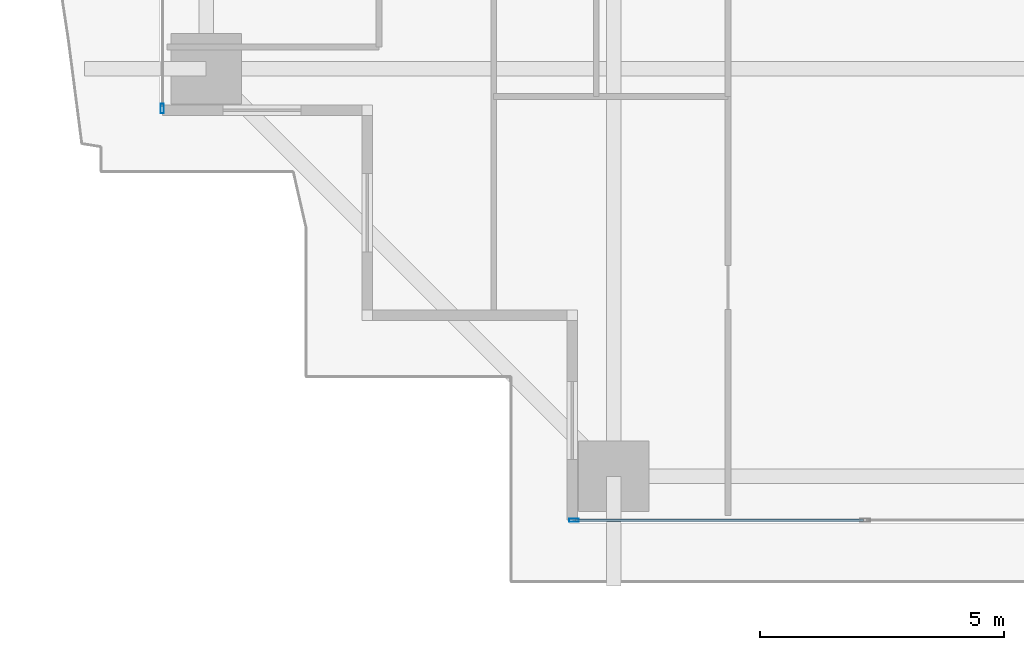
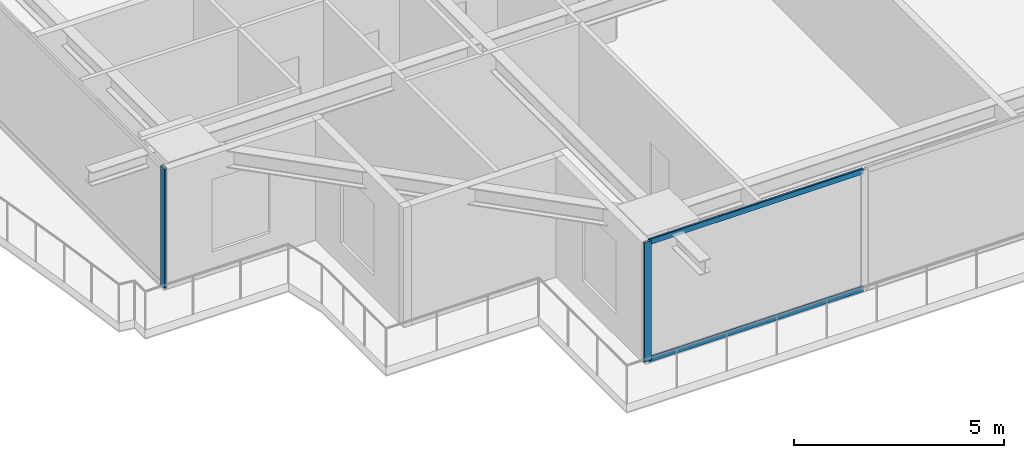
# One storey, part 2 of 36: 4 members, 2 elements without a shape of their own.
"""IFC4 building model written with IfcOpenShell, lengths in metres."""

from ifc_helpers import new_model, si_unit, direction, frame, origin, origin_2d, place, context, subcontext, project, spatial, hollow_rectangle, extrude, source, transform, mapped, material, layer, layer_set, material_profile, profile_set, type_object, element, aggregate, save


model = new_model("IFC4")

# Units and contexts
model_context = context("Model", 3, precision=1e-05, world=origin(), true_north=direction((0.0, 1.0)))
body_context = subcontext(model_context, "Body", "Model", "MODEL_VIEW")
ifc_project = project(units=[si_unit("LENGTHUNIT", "METRE"), si_unit("AREAUNIT", "SQUARE_METRE"), si_unit("VOLUMEUNIT", "CUBIC_METRE"), si_unit("PLANEANGLEUNIT", "RADIAN"), si_unit("MASSUNIT", "GRAM", prefix="KILO")], contexts=[model_context])

# Site, building, storey
site_placement = place(None, origin())
site = spatial("IfcSite", under=ifc_project, at=site_placement, CompositionType="ELEMENT")
building_placement = place(site_placement, origin())
building = spatial("IfcBuilding", under=site, at=building_placement, Name="Serunith Strait Residences", CompositionType="ELEMENT")
storey_placement = place(building_placement, frame((0.0, 0.0, 86.699951171875)))
storey = spatial("IfcBuildingStorey", under=building, at=storey_placement, Name="L21", CompositionType="ELEMENT", Elevation=86.699951171875)

# Curtain wall, member
ifc_material = material(Name="Pale-Champagne Anodised Aluminium", Category="aluminium")
ifc_layer = layer(ifc_material, 0.199951171875, Name="Pale-Champagne Anodised Aluminium")
ifc_layer_set = layer_set([ifc_layer], Name="Pale-Champagne Anodised Aluminium")
curtain_wall_type = type_object("IfcCurtainWallType", Name="CW-SYS1", PredefinedType="NOTDEFINED", material=ifc_layer_set)
curtain_wall_1_placement = place(storey_placement, origin())
curtain_wall_1 = element("IfcCurtainWall", 1, at=curtain_wall_1_placement, inside=storey, type_object=curtain_wall_type, Name="L21 S Unitised Fritted Curtain Wall", PredefinedType="NOTDEFINED")
ifc_material_profile_1 = material_profile(ifc_material, hollow_rectangle(XDim=0.070068359375, YDim=0.199951171875, WallThickness=0.00390625, InnerFilletRadius=0.006103515625, OuterFilletRadius=0.010009765625, at=origin_2d()), Name="ALU 200x70x4")
ifc_profile_set_1 = profile_set([ifc_material_profile_1], Name="Pale-Champagne Anodised Aluminium")
member_type_1 = type_object("IfcMemberType", Name="CW-SYS1-MULL", PredefinedType="MULLION", material=ifc_profile_set_1)
shared_shape_1 = source(origin(), body_context, "Body", "SweptSolid", [
    extrude(hollow_rectangle(XDim=0.070068359375, YDim=0.199951171875, WallThickness=0.00390625, InnerFilletRadius=0.006103515625, OuterFilletRadius=0.010009765625, at=origin_2d()), origin(), (0.0, 0.0, 1.0), 3.47509765625),
])
member_1_placement = place(storey_placement, frame((14.43505859375, 0.199951171875, 0.0), z_axis=(0.0, 0.0, 1.0), x_axis=(0.0, 1.0, 0.0)))
member_1 = element("IfcMember", 2, at=member_1_placement, type_object=member_type_1, Name="CW-1 mullion 1", PredefinedType="MULLION", context=body_context, shape_type="MappedRepresentation", body=[
    mapped(shared_shape_1, transform((0.0, 0.0, 0.0), scale=1.0)),
])

curtain_wall_2_placement = place(storey_placement, origin())
curtain_wall_2 = element("IfcCurtainWall", 3, at=curtain_wall_2_placement, inside=storey, type_object=curtain_wall_type, Name="L21 W Unitised Fritted Curtain Wall", PredefinedType="NOTDEFINED")
member_2_placement = place(storey_placement, frame((6.0, 8.635009765625, 0.0), z_axis=(0.0, 0.0, 1.0), x_axis=(1.0, 0.0, 0.0)))
member_2 = element("IfcMember", 4, at=member_2_placement, type_object=member_type_1, Name="CW-1 mullion 2", PredefinedType="MULLION", context=body_context, shape_type="MappedRepresentation", body=[
    mapped(shared_shape_1, transform((0.0, 0.0, 0.0), scale=1.0)),
])
aggregate(curtain_wall_2, [member_2])

# Member
ifc_material_profile_2 = material_profile(ifc_material, hollow_rectangle(XDim=0.06005859375, YDim=0.159912109375, WallThickness=0.00341796875, InnerFilletRadius=0.00537109375, OuterFilletRadius=0.0087890625, at=origin_2d()), Name="ALU 160x60x3.5")
ifc_profile_set_2 = profile_set([ifc_material_profile_2], Name="Pale-Champagne Anodised Aluminium")
member_type_2 = type_object("IfcMemberType", Name="CW-SYS1-TRAN", PredefinedType="USERDEFINED", material=ifc_profile_set_2)
shared_shape_2 = source(origin(), body_context, "Body", "SweptSolid", [
    extrude(hollow_rectangle(XDim=0.06005859375, YDim=0.159912109375, WallThickness=0.00341796875, InnerFilletRadius=0.00537109375, OuterFilletRadius=0.0087890625, at=origin_2d()), origin(), (0.0, 0.0, 1.0), 5.89501953125),
])
member_3_placement = place(storey_placement, frame((14.469970703125, 0.199951171875, 0.030029296875), z_axis=(1.0, 0.0, 0.0), x_axis=(0.0, 1.0, 0.0)))
member_3 = element("IfcMember", 5, at=member_3_placement, type_object=member_type_2, Name="CW-1 transom 1.1", ObjectType="TRANSOM", PredefinedType="USERDEFINED", context=body_context, shape_type="MappedRepresentation", body=[
    mapped(shared_shape_2, transform((0.0, 0.0, 0.0), scale=1.0)),
])

member_4_placement = place(storey_placement, frame((14.469970703125, 0.199951171875, 3.445068359375), z_axis=(1.0, 0.0, 0.0), x_axis=(0.0, 1.0, 0.0)))
member_4 = element("IfcMember", 6, at=member_4_placement, type_object=member_type_2, Name="CW-1 transom 1.2", ObjectType="TRANSOM", PredefinedType="USERDEFINED", context=body_context, shape_type="MappedRepresentation", body=[
    mapped(shared_shape_2, transform((0.0, 0.0, 0.0), scale=1.0)),
])

aggregate(curtain_wall_1, [member_1, member_3, member_4])

save(model, "model.ifc")
